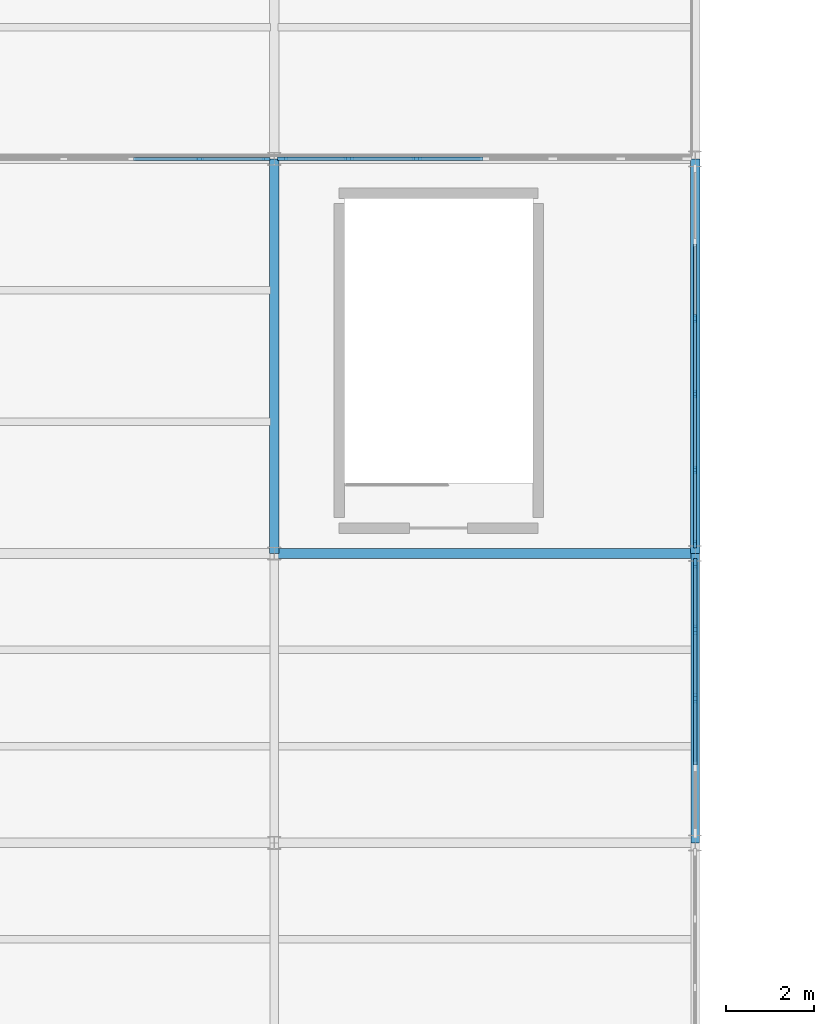
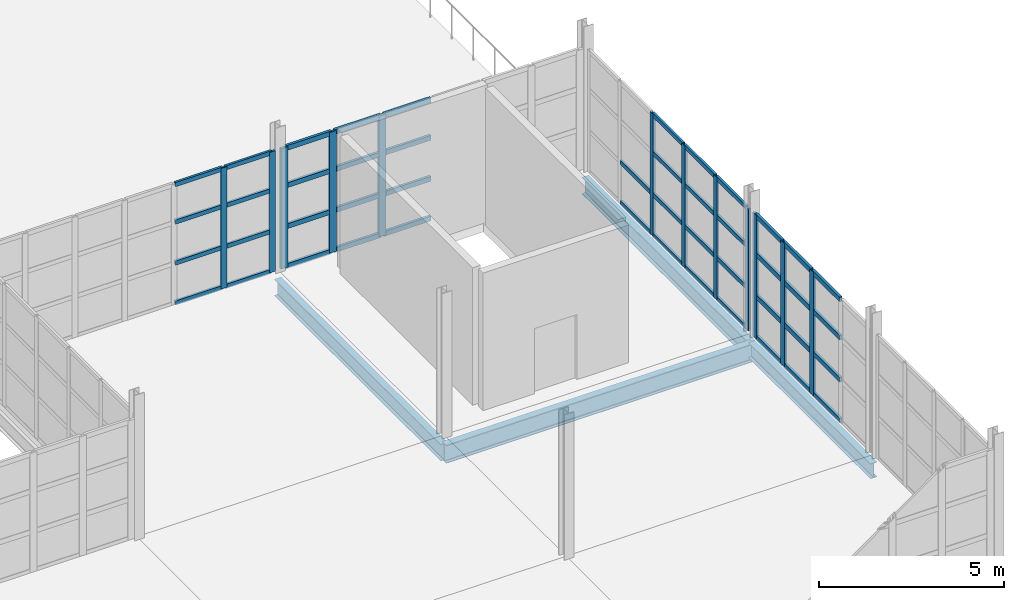
# One storey, part 66 of 120: 58 members, 4 beams, 4 elements without a shape of their own.
"""IFC4 building model written with IfcOpenShell, lengths in metres."""

import ifcopenshell
import ifcopenshell.guid

model = None  # the IFC model being written
_history = None  # IfcOwnerHistory: only IFC2X3 demands one
_inside = {}  # id of a spatial element -> (the spatial element, [elements in it])
_under = {}  # id of a project, library or spatial element -> (it, [spatial elements below it])
_declared = {}  # id of a project -> (the project, [libraries it declares])
_typed = {}  # id of a type object -> (the type object, [elements of that type])
_made_of = {}  # id of a material, layer set ... -> (it, [elements and type objects made of it])


def new_model(schema):
    """Start an empty IFC model of exactly this schema.

    Asked for "IFC4X3", IfcOpenShell would pick the latest addendum, in which some entities
    have other attributes; the version numbers below select the first issue.
    IFC2X3 requires an IfcOwnerHistory on every rooted entity: one is made here for all.
    """
    global model, _history
    if schema == "IFC4X3":
        model = ifcopenshell.file(schema_version=(4, 3, 0, 0))
    else:
        model = ifcopenshell.file(schema=schema)
    _inside.clear()
    _under.clear()
    _declared.clear()
    _typed.clear()
    _made_of.clear()
    _history = None
    if model.schema == "IFC2X3":
        org = make("IfcOrganization", Name="unknown")
        user = make(
            "IfcPersonAndOrganization",
            ThePerson=make("IfcPerson", FamilyName="unknown"),
            TheOrganization=org,
        )
        app = make(
            "IfcApplication",
            ApplicationDeveloper=org,
            Version="unknown",
            ApplicationFullName="unknown",
            ApplicationIdentifier="unknown",
        )
        _history = make(
            "IfcOwnerHistory",
            OwningUser=user,
            OwningApplication=app,
            ChangeAction="ADDED",
            CreationDate=0,
        )
    return model


def make(cls, **values):
    """One entity of the class cls with the attributes given. An attribute that is None is left unset."""
    return model.create_entity(
        cls, **{name: value for name, value in values.items() if value is not None}
    )


def rooted(cls, **values):
    """An entity with a GlobalId (a new one), such as an element, a storey or a relation."""
    return make(cls, GlobalId=ifcopenshell.guid.new(), OwnerHistory=_history, **values)


def si_unit(unit_type, name, prefix=None):
    """IfcSIUnit, for example si_unit("LENGTHUNIT", "METRE", prefix="MILLI")."""
    return make("IfcSIUnit", UnitType=unit_type, Prefix=prefix, Name=name)


def assignment(units):
    """IfcUnitAssignment: the units of a project."""
    return None if units is None else make("IfcUnitAssignment", Units=units)


def point(xyz):
    """IfcCartesianPoint."""
    return None if xyz is None else make("IfcCartesianPoint", Coordinates=xyz)


def direction(xyz):
    """IfcDirection."""
    return None if xyz is None else make("IfcDirection", DirectionRatios=xyz)


def frame(location, z_axis=None, x_axis=None):
    """IfcAxis2Placement3D, a coordinate frame: its origin and axes. An axis left out is left unset."""
    return make(
        "IfcAxis2Placement3D",
        Location=point(location),
        Axis=direction(z_axis),
        RefDirection=direction(x_axis),
    )


def frame_2d(location, x_axis=None):
    """IfcAxis2Placement2D, a coordinate frame in the plane: its origin and x axis."""
    return make(
        "IfcAxis2Placement2D", Location=point(location), RefDirection=direction(x_axis)
    )


def origin():
    """The frame at (0, 0, 0) with its axes left unset."""
    return frame((0.0, 0.0, 0.0))


def origin_2d():
    """The frame at (0, 0) in the plane with its x axis left unset."""
    return frame_2d((0.0, 0.0))


def place(relative_to, where):
    """IfcLocalPlacement: puts the frame where relative to a parent placement (None: the world)."""
    return make(
        "IfcLocalPlacement", PlacementRelTo=relative_to, RelativePlacement=where
    )


def context(
    kind, dimensions, precision=None, world=None, true_north=None, identifier=None
):
    """IfcGeometricRepresentationContext, for example the 3D "Model" context."""
    return make(
        "IfcGeometricRepresentationContext",
        ContextIdentifier=identifier,
        ContextType=kind,
        CoordinateSpaceDimension=dimensions,
        Precision=precision,
        WorldCoordinateSystem=world,
        TrueNorth=true_north,
    )


def subcontext(parent, identifier, kind, view, scale=None):
    """IfcGeometricRepresentationSubContext, for example "Body" below "Model"."""
    return make(
        "IfcGeometricRepresentationSubContext",
        ContextIdentifier=identifier,
        ContextType=kind,
        ParentContext=parent,
        TargetScale=scale,
        TargetView=view,
    )


def project(units=None, contexts=None):
    """IfcProject with its units and contexts."""
    return rooted(
        "IfcProject",
        Name="project",
        RepresentationContexts=contexts,
        UnitsInContext=assignment(units),
    )


def spatial(cls, under=None, at=None, **own):
    """A site, building, storey or space (cls), placed at a placement, below another one or the project."""
    s = rooted(cls, ObjectPlacement=at, **own)
    if under is not None:
        _under.setdefault(under.id(), (under, []))[1].append(s)
    return s


def profile(cls, at=None, kind="AREA", **sizes):
    """A parametric profile (cls). Its sizes go by their IFC names, for example OverallWidth=200.0."""
    return make(cls, ProfileType=kind, Position=at, **sizes)


def rectangle(**sizes):
    """IfcRectangleProfileDef."""
    return profile("IfcRectangleProfileDef", **sizes)


def i_section(**sizes):
    """IfcIShapeProfileDef."""
    return profile("IfcIShapeProfileDef", **sizes)


def extrude(swept, where, along, depth):
    """IfcExtrudedAreaSolid: the profile swept, set in the frame where, extruded along a direction by depth."""
    return make(
        "IfcExtrudedAreaSolid",
        SweptArea=swept,
        Position=where,
        ExtrudedDirection=direction(along),
        Depth=depth,
    )


def shape(context_of_items, identifier, shape_type, items):
    """IfcShapeRepresentation: the items that make up one representation, for example the "Body"."""
    return make(
        "IfcShapeRepresentation",
        ContextOfItems=context_of_items,
        RepresentationIdentifier=identifier,
        RepresentationType=shape_type,
        Items=items,
    )


def material(Name=None, Category=None):
    """IfcMaterial."""
    return make("IfcMaterial", Name=Name, Category=Category)


def layer(
    of_material, thickness, ventilated=None, Name=None, Category=None, Priority=None
):
    """IfcMaterialLayer: one layer of a wall or slab, of a material (None: an air gap)."""
    return make(
        "IfcMaterialLayer",
        Material=of_material,
        LayerThickness=thickness,
        IsVentilated=ventilated,
        Name=Name,
        Category=Category,
        Priority=Priority,
    )


def layer_set(layers, Name=None):
    """IfcMaterialLayerSet."""
    return make("IfcMaterialLayerSet", MaterialLayers=layers, LayerSetName=Name)


def material_profile(
    of_material, cross_section, Name=None, Category=None, Priority=None
):
    """IfcMaterialProfile: a cross section and its material."""
    return make(
        "IfcMaterialProfile",
        Name=Name,
        Material=of_material,
        Profile=cross_section,
        Priority=Priority,
        Category=Category,
    )


def profile_set(profiles, Name=None, composite=None):
    """IfcMaterialProfileSet."""
    return make(
        "IfcMaterialProfileSet",
        Name=Name,
        MaterialProfiles=profiles,
        CompositeProfile=composite,
    )


def made_of(thing, what):
    """Note that an element or type object is made of a material, layer set ...; save() writes the relation."""
    if what is not None:
        _made_of.setdefault(what.id(), (what, []))[1].append(thing)
    return thing


def type_object(cls, material=None, **own):
    """A type object (cls), such as IfcWallType, which elements share."""
    return made_of(rooted(cls, **own), material)


def element(
    cls,
    number,
    at=None,
    inside=None,
    cuts=None,
    type_object=None,
    material=None,
    context=None,
    identifier="Body",
    shape_type=None,
    held_by="IfcProductDefinitionShape",
    body=None,
    shapes=None,
    **own,
):
    """One element of the class cls, such as IfcWall. Its Tag is "e" and its number.

    at: its placement. inside: the storey or other place that contains it. cuts: it is an
    opening in that element (IfcRelVoidsElement). A single representation is given by context,
    identifier, shape_type and body (its items); several are given by shapes. held_by: the class
    of the entity that holds the representations. save() writes the other relations.
    """
    e = rooted(cls, Tag="e%d" % number, ObjectPlacement=at, **own)
    if body is not None:
        shapes = [shape(context, identifier, shape_type, body)]
    if shapes is not None:
        e.Representation = make(held_by, Representations=shapes)
    if inside is not None:
        _inside.setdefault(inside.id(), (inside, []))[1].append(e)
    if cuts is not None:
        rooted(
            "IfcRelVoidsElement", RelatingBuildingElement=cuts, RelatedOpeningElement=e
        )
    if type_object is not None:
        _typed.setdefault(type_object.id(), (type_object, []))[1].append(e)
    return made_of(e, material)


def aggregate(whole, parts):
    """IfcRelAggregates: a whole, such as a stair, and the parts it consists of."""
    return rooted("IfcRelAggregates", RelatingObject=whole, RelatedObjects=parts)


def save(model, path):
    """Write the relations noted so far, then the file.

    IfcRelAggregates (storeys below a building ...), IfcRelContainedInSpatialStructure (elements
    in a storey), IfcRelDefinesByType, IfcRelAssociatesMaterial and IfcRelDeclares: one each for
    every whole, place, type object, material and project.
    """
    for whole, parts in _under.values():
        aggregate(whole, parts)
    for where, things in _inside.values():
        rooted(
            "IfcRelContainedInSpatialStructure",
            RelatedElements=things,
            RelatingStructure=where,
        )
    for kind, things in _typed.values():
        rooted("IfcRelDefinesByType", RelatedObjects=things, RelatingType=kind)
    for what, things in _made_of.values():
        rooted("IfcRelAssociatesMaterial", RelatedObjects=things, RelatingMaterial=what)
    for by, libraries in _declared.values():
        rooted("IfcRelDeclares", RelatingContext=by, RelatedDefinitions=libraries)
    model.write(path)


model = new_model("IFC4")

# Units and contexts
model_context = context("Model", 3, precision=1e-05, world=origin(), true_north=direction((0.0, 1.0)))
body_context = subcontext(model_context, "Body", "Model", "MODEL_VIEW")
ifc_project = project(units=[si_unit("LENGTHUNIT", "METRE"), si_unit("AREAUNIT", "SQUARE_METRE"), si_unit("VOLUMEUNIT", "CUBIC_METRE"), si_unit("PLANEANGLEUNIT", "RADIAN"), si_unit("MASSUNIT", "GRAM", prefix="KILO")], contexts=[model_context])

# Site, building, storey
site_placement = place(None, origin())
site = spatial("IfcSite", under=ifc_project, at=site_placement, CompositionType="ELEMENT")
building_placement = place(site_placement, origin())
building = spatial("IfcBuilding", under=site, at=building_placement, Name="Zarnetskaya Central Station", CompositionType="ELEMENT")
storey_placement = place(building_placement, frame((0.0, 0.0, 5.39990234375)))
storey = spatial("IfcBuildingStorey", under=building, at=storey_placement, Name="L01", CompositionType="ELEMENT", Elevation=5.39990234375)

# Curtain wall, members
ifc_material_1 = material(Name="Low-E insulated glass", Category="glass")
ifc_layer = layer(ifc_material_1, 0.159912109375, Name="Low-E insulated glass", Category="glass")
ifc_layer_set = layer_set([ifc_layer], Name="Low-E insulated glass")
curtain_wall_type = type_object("IfcCurtainWallType", Name="CW-SYS-06", PredefinedType="USERDEFINED", material=ifc_layer_set)
curtain_wall_1_placement = place(storey_placement, origin())
curtain_wall_1 = element("IfcCurtainWall", 1, at=curtain_wall_1_placement, inside=storey, type_object=curtain_wall_type, Name="Curtain wall CW-L01-117", ObjectType="CURTAIN WALL", PredefinedType="USERDEFINED")
ifc_material_2 = material(Name="Anodised aluminium", Category="aluminium")
ifc_material_profile_1 = material_profile(ifc_material_2, rectangle(XDim=0.070068359375, YDim=0.179931640625, at=origin_2d()), Name="ALU MULL 70x180")
ifc_profile_set_1 = profile_set([ifc_material_profile_1], Name="Anodised aluminium")
member_type_1 = type_object("IfcMemberType", Name="CW-MULL-180", PredefinedType="MULLION", material=ifc_profile_set_1)
member_1_placement = place(storey_placement, frame((161.5, 22.199951171875, 0.0), z_axis=(0.0, 0.0, 1.0), x_axis=(0.0, 1.0, 0.0)))
member_1 = element("IfcMember", 2, at=member_1_placement, type_object=member_type_1, Name="CW-02 mullion 6", PredefinedType="MULLION", context=body_context, shape_type="SweptSolid", body=[
    extrude(rectangle(XDim=0.070068359375, YDim=0.179931640625, at=origin_2d()), origin(), (0.0, 0.0, 1.0), 3.97998046875),
])
member_2_placement = place(storey_placement, frame((163.014892578125, 22.199951171875, 0.0), z_axis=(0.0, 0.0, 1.0), x_axis=(0.0, 1.0, 0.0)))
member_2 = element("IfcMember", 3, at=member_2_placement, type_object=member_type_1, Name="CW-02 mullion 7", PredefinedType="MULLION", context=body_context, shape_type="SweptSolid", body=[
    extrude(rectangle(XDim=0.070068359375, YDim=0.179931640625, at=origin_2d()), origin(), (0.0, 0.0, 1.0), 3.97998046875),
])

curtain_wall_2_placement = place(storey_placement, origin())
curtain_wall_2 = element("IfcCurtainWall", 4, at=curtain_wall_2_placement, inside=storey, type_object=curtain_wall_type, Name="Curtain wall CW-L01-119", ObjectType="CURTAIN WALL", PredefinedType="USERDEFINED")
member_3_placement = place(storey_placement, frame((172.800048828125, 18.56396484375, 0.0), z_axis=(0.0, 0.0, 1.0), x_axis=(1.0, 0.0, 0.0)))
member_3 = element("IfcMember", 5, at=member_3_placement, type_object=member_type_1, Name="CW-02 mullion 3", PredefinedType="MULLION", context=body_context, shape_type="SweptSolid", body=[
    extrude(rectangle(XDim=0.070068359375, YDim=0.179931640625, at=origin_2d()), origin(), (0.0, 0.0, 1.0), 4.030029296875),
])
member_4_placement = place(storey_placement, frame((172.800048828125, 16.8359375, 0.0), z_axis=(0.0, 0.0, 1.0), x_axis=(1.0, 0.0, 0.0)))
member_4 = element("IfcMember", 6, at=member_4_placement, type_object=member_type_1, Name="CW-02 mullion 4", PredefinedType="MULLION", context=body_context, shape_type="SweptSolid", body=[
    extrude(rectangle(XDim=0.070068359375, YDim=0.179931640625, at=origin_2d()), origin(), (0.0, 0.0, 1.0), 4.030029296875),
])
member_5_placement = place(storey_placement, frame((172.800048828125, 15.10791015625, 0.0), z_axis=(0.0, 0.0, 1.0), x_axis=(1.0, 0.0, 0.0)))
member_5 = element("IfcMember", 7, at=member_5_placement, type_object=member_type_1, Name="CW-02 mullion 5", PredefinedType="MULLION", context=body_context, shape_type="SweptSolid", body=[
    extrude(rectangle(XDim=0.070068359375, YDim=0.179931640625, at=origin_2d()), origin(), (0.0, 0.0, 1.0), 4.030029296875),
])
member_6_placement = place(storey_placement, frame((172.800048828125, 13.4150390625, 0.0), z_axis=(0.0, 0.0, 1.0), x_axis=(1.0, 0.0, 0.0)))
member_6 = element("IfcMember", 8, at=member_6_placement, type_object=member_type_1, Name="CW-02 mullion 6", PredefinedType="MULLION", context=body_context, shape_type="SweptSolid", body=[
    extrude(rectangle(XDim=0.070068359375, YDim=0.179931640625, at=origin_2d()), origin(), (0.0, 0.0, 1.0), 4.030029296875),
])

curtain_wall_3_placement = place(storey_placement, origin())
curtain_wall_3 = element("IfcCurtainWall", 9, at=curtain_wall_3_placement, inside=storey, type_object=curtain_wall_type, Name="Curtain wall CW-L01-118", ObjectType="CURTAIN WALL", PredefinedType="USERDEFINED")
ifc_material_profile_2 = material_profile(ifc_material_2, rectangle(XDim=0.080078125, YDim=0.219970703125, at=origin_2d()), Name="ALU MULL 80x220")
ifc_profile_set_2 = profile_set([ifc_material_profile_2], Name="Anodised aluminium")
member_type_2 = type_object("IfcMemberType", Name="CW-MULL-220", PredefinedType="MULLION", material=ifc_profile_set_2)
member_7_placement = place(storey_placement, frame((163.389892578125, 22.199951171875, 0.0), z_axis=(0.0, 0.0, 1.0), x_axis=(0.0, 1.0, 0.0)))
member_7 = element("IfcMember", 10, at=member_7_placement, type_object=member_type_2, Name="CW-02 mullion 1", PredefinedType="MULLION", context=body_context, shape_type="SweptSolid", body=[
    extrude(rectangle(XDim=0.080078125, YDim=0.219970703125, at=origin_2d()), origin(), (0.0, 0.0, 1.0), 3.97998046875),
])
member_8_placement = place(storey_placement, frame((164.89990234375, 22.199951171875, 0.0), z_axis=(0.0, 0.0, 1.0), x_axis=(0.0, 1.0, 0.0)))
member_8 = element("IfcMember", 11, at=member_8_placement, type_object=member_type_2, Name="CW-02 mullion 2", PredefinedType="MULLION", context=body_context, shape_type="SweptSolid", body=[
    extrude(rectangle(XDim=0.080078125, YDim=0.219970703125, at=origin_2d()), origin(), (0.0, 0.0, 1.0), 3.97998046875),
])
member_9_placement = place(storey_placement, frame((166.449951171875, 22.199951171875, 0.0), z_axis=(0.0, 0.0, 1.0), x_axis=(0.0, 1.0, 0.0)))
member_9 = element("IfcMember", 12, at=member_9_placement, type_object=member_type_2, Name="CW-02 mullion 3", PredefinedType="MULLION", context=body_context, shape_type="SweptSolid", body=[
    extrude(rectangle(XDim=0.080078125, YDim=0.219970703125, at=origin_2d()), origin(), (0.0, 0.0, 1.0), 3.97998046875),
])

curtain_wall_4_placement = place(storey_placement, origin())
curtain_wall_4 = element("IfcCurtainWall", 13, at=curtain_wall_4_placement, inside=storey, type_object=curtain_wall_type, Name="Curtain wall CW-L01-120", ObjectType="CURTAIN WALL", PredefinedType="USERDEFINED")
member_10_placement = place(storey_placement, frame((172.800048828125, 12.97998046875, 0.0), z_axis=(0.0, 0.0, 1.0), x_axis=(1.0, 0.0, 0.0)))
member_10 = element("IfcMember", 14, at=member_10_placement, type_object=member_type_2, Name="CW-02 mullion 1", PredefinedType="MULLION", context=body_context, shape_type="SweptSolid", body=[
    extrude(rectangle(XDim=0.080078125, YDim=0.219970703125, at=origin_2d()), origin(), (0.0, 0.0, 1.0), 4.080078125),
])
member_11_placement = place(storey_placement, frame((172.800048828125, 11.4599609375, 0.0), z_axis=(0.0, 0.0, 1.0), x_axis=(1.0, 0.0, 0.0)))
member_11 = element("IfcMember", 15, at=member_11_placement, type_object=member_type_2, Name="CW-02 mullion 2", PredefinedType="MULLION", context=body_context, shape_type="SweptSolid", body=[
    extrude(rectangle(XDim=0.080078125, YDim=0.219970703125, at=origin_2d()), origin(), (0.0, 0.0, 1.0), 4.080078125),
])
member_12_placement = place(storey_placement, frame((172.800048828125, 9.89990234375, 0.0), z_axis=(0.0, 0.0, 1.0), x_axis=(1.0, 0.0, 0.0)))
member_12 = element("IfcMember", 16, at=member_12_placement, type_object=member_type_2, Name="CW-02 mullion 3", PredefinedType="MULLION", context=body_context, shape_type="SweptSolid", body=[
    extrude(rectangle(XDim=0.080078125, YDim=0.219970703125, at=origin_2d()), origin(), (0.0, 0.0, 1.0), 4.080078125),
])

# Member
ifc_material_profile_3 = material_profile(ifc_material_2, rectangle(XDim=0.070068359375, YDim=0.139892578125, at=origin_2d()), Name="ALU TRAN 70x140")
ifc_profile_set_3 = profile_set([ifc_material_profile_3], Name="Anodised aluminium")
member_type_3 = type_object("IfcMemberType", Name="CW-TRAN-140", PredefinedType="USERDEFINED", material=ifc_profile_set_3)
member_13_placement = place(storey_placement, frame((159.985107421875, 22.199951171875, 0.03515625), z_axis=(1.0, 0.0, 0.0), x_axis=(0.0, 1.0, 0.0)))
member_13 = element("IfcMember", 17, at=member_13_placement, type_object=member_type_3, Name="CW-02 transom 5.1", ObjectType="TRANSOM", PredefinedType="USERDEFINED", context=body_context, shape_type="SweptSolid", body=[
    extrude(rectangle(XDim=0.070068359375, YDim=0.139892578125, at=origin_2d()), origin(), (0.0, 0.0, 1.0), 1.47998046875),
])

member_14_placement = place(storey_placement, frame((159.985107421875, 22.199951171875, 1.35302734375), z_axis=(1.0, 0.0, 0.0), x_axis=(0.0, 1.0, 0.0)))
member_14 = element("IfcMember", 18, at=member_14_placement, type_object=member_type_3, Name="CW-02 transom 5.2", ObjectType="TRANSOM", PredefinedType="USERDEFINED", context=body_context, shape_type="SweptSolid", body=[
    extrude(rectangle(XDim=0.070068359375, YDim=0.139892578125, at=origin_2d()), origin(), (0.0, 0.0, 1.0), 1.47998046875),
])

member_15_placement = place(storey_placement, frame((159.985107421875, 22.199951171875, 2.7060546875), z_axis=(1.0, 0.0, 0.0), x_axis=(0.0, 1.0, 0.0)))
member_15 = element("IfcMember", 19, at=member_15_placement, type_object=member_type_3, Name="CW-02 transom 5.3", ObjectType="TRANSOM", PredefinedType="USERDEFINED", context=body_context, shape_type="SweptSolid", body=[
    extrude(rectangle(XDim=0.070068359375, YDim=0.139892578125, at=origin_2d()), origin(), (0.0, 0.0, 1.0), 1.47998046875),
])

member_16_placement = place(storey_placement, frame((159.985107421875, 22.199951171875, 3.945068359375), z_axis=(1.0, 0.0, 0.0), x_axis=(0.0, 1.0, 0.0)))
member_16 = element("IfcMember", 20, at=member_16_placement, type_object=member_type_3, Name="CW-02 transom 5.4", ObjectType="TRANSOM", PredefinedType="USERDEFINED", context=body_context, shape_type="SweptSolid", body=[
    extrude(rectangle(XDim=0.070068359375, YDim=0.139892578125, at=origin_2d()), origin(), (0.0, 0.0, 1.0), 1.47998046875),
])

member_17_placement = place(storey_placement, frame((161.534912109375, 22.199951171875, 0.03515625), z_axis=(1.0, 0.0, 0.0), x_axis=(0.0, 1.0, 0.0)))
member_17 = element("IfcMember", 21, at=member_17_placement, type_object=member_type_3, Name="CW-02 transom 6.1", ObjectType="TRANSOM", PredefinedType="USERDEFINED", context=body_context, shape_type="SweptSolid", body=[
    extrude(rectangle(XDim=0.070068359375, YDim=0.139892578125, at=origin_2d()), origin(), (0.0, 0.0, 1.0), 1.445068359375),
])

member_18_placement = place(storey_placement, frame((161.534912109375, 22.199951171875, 1.35302734375), z_axis=(1.0, 0.0, 0.0), x_axis=(0.0, 1.0, 0.0)))
member_18 = element("IfcMember", 22, at=member_18_placement, type_object=member_type_3, Name="CW-02 transom 6.2", ObjectType="TRANSOM", PredefinedType="USERDEFINED", context=body_context, shape_type="SweptSolid", body=[
    extrude(rectangle(XDim=0.070068359375, YDim=0.139892578125, at=origin_2d()), origin(), (0.0, 0.0, 1.0), 1.445068359375),
])

member_19_placement = place(storey_placement, frame((161.534912109375, 22.199951171875, 2.7060546875), z_axis=(1.0, 0.0, 0.0), x_axis=(0.0, 1.0, 0.0)))
member_19 = element("IfcMember", 23, at=member_19_placement, type_object=member_type_3, Name="CW-02 transom 6.3", ObjectType="TRANSOM", PredefinedType="USERDEFINED", context=body_context, shape_type="SweptSolid", body=[
    extrude(rectangle(XDim=0.070068359375, YDim=0.139892578125, at=origin_2d()), origin(), (0.0, 0.0, 1.0), 1.445068359375),
])

member_20_placement = place(storey_placement, frame((161.534912109375, 22.199951171875, 3.945068359375), z_axis=(1.0, 0.0, 0.0), x_axis=(0.0, 1.0, 0.0)))
member_20 = element("IfcMember", 24, at=member_20_placement, type_object=member_type_3, Name="CW-02 transom 6.4", ObjectType="TRANSOM", PredefinedType="USERDEFINED", context=body_context, shape_type="SweptSolid", body=[
    extrude(rectangle(XDim=0.070068359375, YDim=0.139892578125, at=origin_2d()), origin(), (0.0, 0.0, 1.0), 1.445068359375),
])

aggregate(curtain_wall_1, [member_1, member_2, member_13, member_14, member_15, member_16, member_17, member_18, member_19, member_20])

member_21_placement = place(storey_placement, frame((172.800048828125, 20.257080078125, 0.03515625), z_axis=(0.0, -1.0, 0.0), x_axis=(1.0, 0.0, 0.0)))
member_21 = element("IfcMember", 25, at=member_21_placement, type_object=member_type_3, Name="CW-02 transom 2.1", ObjectType="TRANSOM", PredefinedType="USERDEFINED", context=body_context, shape_type="SweptSolid", body=[
    extrude(rectangle(XDim=0.070068359375, YDim=0.139892578125, at=origin_2d()), origin(), (0.0, 0.0, 1.0), 1.657958984375),
])

member_22_placement = place(storey_placement, frame((172.800048828125, 20.257080078125, 1.3701171875), z_axis=(0.0, -1.0, 0.0), x_axis=(1.0, 0.0, 0.0)))
member_22 = element("IfcMember", 26, at=member_22_placement, type_object=member_type_3, Name="CW-02 transom 2.2", ObjectType="TRANSOM", PredefinedType="USERDEFINED", context=body_context, shape_type="SweptSolid", body=[
    extrude(rectangle(XDim=0.070068359375, YDim=0.139892578125, at=origin_2d()), origin(), (0.0, 0.0, 1.0), 1.657958984375),
])

member_23_placement = place(storey_placement, frame((172.800048828125, 18.529052734375, 0.03515625), z_axis=(0.0, -1.0, 0.0), x_axis=(1.0, 0.0, 0.0)))
member_23 = element("IfcMember", 27, at=member_23_placement, type_object=member_type_3, Name="CW-02 transom 3.1", ObjectType="TRANSOM", PredefinedType="USERDEFINED", context=body_context, shape_type="SweptSolid", body=[
    extrude(rectangle(XDim=0.070068359375, YDim=0.139892578125, at=origin_2d()), origin(), (0.0, 0.0, 1.0), 1.657958984375),
])

member_24_placement = place(storey_placement, frame((172.800048828125, 18.529052734375, 1.3701171875), z_axis=(0.0, -1.0, 0.0), x_axis=(1.0, 0.0, 0.0)))
member_24 = element("IfcMember", 28, at=member_24_placement, type_object=member_type_3, Name="CW-02 transom 3.2", ObjectType="TRANSOM", PredefinedType="USERDEFINED", context=body_context, shape_type="SweptSolid", body=[
    extrude(rectangle(XDim=0.070068359375, YDim=0.139892578125, at=origin_2d()), origin(), (0.0, 0.0, 1.0), 1.657958984375),
])

member_25_placement = place(storey_placement, frame((172.800048828125, 18.529052734375, 2.739990234375), z_axis=(0.0, -1.0, 0.0), x_axis=(1.0, 0.0, 0.0)))
member_25 = element("IfcMember", 29, at=member_25_placement, type_object=member_type_3, Name="CW-02 transom 3.3", ObjectType="TRANSOM", PredefinedType="USERDEFINED", context=body_context, shape_type="SweptSolid", body=[
    extrude(rectangle(XDim=0.070068359375, YDim=0.139892578125, at=origin_2d()), origin(), (0.0, 0.0, 1.0), 1.657958984375),
])

member_26_placement = place(storey_placement, frame((172.800048828125, 18.529052734375, 3.9951171875), z_axis=(0.0, -1.0, 0.0), x_axis=(1.0, 0.0, 0.0)))
member_26 = element("IfcMember", 30, at=member_26_placement, type_object=member_type_3, Name="CW-02 transom 3.4", ObjectType="TRANSOM", PredefinedType="USERDEFINED", context=body_context, shape_type="SweptSolid", body=[
    extrude(rectangle(XDim=0.070068359375, YDim=0.139892578125, at=origin_2d()), origin(), (0.0, 0.0, 1.0), 1.657958984375),
])

member_27_placement = place(storey_placement, frame((172.800048828125, 16.801025390625, 0.03515625), z_axis=(0.0, -1.0, 0.0), x_axis=(1.0, 0.0, 0.0)))
member_27 = element("IfcMember", 31, at=member_27_placement, type_object=member_type_3, Name="CW-02 transom 4.1", ObjectType="TRANSOM", PredefinedType="USERDEFINED", context=body_context, shape_type="SweptSolid", body=[
    extrude(rectangle(XDim=0.070068359375, YDim=0.139892578125, at=origin_2d()), origin(), (0.0, 0.0, 1.0), 1.657958984375),
])

member_28_placement = place(storey_placement, frame((172.800048828125, 16.801025390625, 1.3701171875), z_axis=(0.0, -1.0, 0.0), x_axis=(1.0, 0.0, 0.0)))
member_28 = element("IfcMember", 32, at=member_28_placement, type_object=member_type_3, Name="CW-02 transom 4.2", ObjectType="TRANSOM", PredefinedType="USERDEFINED", context=body_context, shape_type="SweptSolid", body=[
    extrude(rectangle(XDim=0.070068359375, YDim=0.139892578125, at=origin_2d()), origin(), (0.0, 0.0, 1.0), 1.657958984375),
])

member_29_placement = place(storey_placement, frame((172.800048828125, 16.801025390625, 2.739990234375), z_axis=(0.0, -1.0, 0.0), x_axis=(1.0, 0.0, 0.0)))
member_29 = element("IfcMember", 33, at=member_29_placement, type_object=member_type_3, Name="CW-02 transom 4.3", ObjectType="TRANSOM", PredefinedType="USERDEFINED", context=body_context, shape_type="SweptSolid", body=[
    extrude(rectangle(XDim=0.070068359375, YDim=0.139892578125, at=origin_2d()), origin(), (0.0, 0.0, 1.0), 1.657958984375),
])

member_30_placement = place(storey_placement, frame((172.800048828125, 16.801025390625, 3.9951171875), z_axis=(0.0, -1.0, 0.0), x_axis=(1.0, 0.0, 0.0)))
member_30 = element("IfcMember", 34, at=member_30_placement, type_object=member_type_3, Name="CW-02 transom 4.4", ObjectType="TRANSOM", PredefinedType="USERDEFINED", context=body_context, shape_type="SweptSolid", body=[
    extrude(rectangle(XDim=0.070068359375, YDim=0.139892578125, at=origin_2d()), origin(), (0.0, 0.0, 1.0), 1.657958984375),
])

member_31_placement = place(storey_placement, frame((172.800048828125, 15.072998046875, 0.03515625), z_axis=(0.0, -1.0, 0.0), x_axis=(1.0, 0.0, 0.0)))
member_31 = element("IfcMember", 35, at=member_31_placement, type_object=member_type_3, Name="CW-02 transom 5.1", ObjectType="TRANSOM", PredefinedType="USERDEFINED", context=body_context, shape_type="SweptSolid", body=[
    extrude(rectangle(XDim=0.070068359375, YDim=0.139892578125, at=origin_2d()), origin(), (0.0, 0.0, 1.0), 1.623046875),
])

member_32_placement = place(storey_placement, frame((172.800048828125, 15.072998046875, 1.3701171875), z_axis=(0.0, -1.0, 0.0), x_axis=(1.0, 0.0, 0.0)))
member_32 = element("IfcMember", 36, at=member_32_placement, type_object=member_type_3, Name="CW-02 transom 5.2", ObjectType="TRANSOM", PredefinedType="USERDEFINED", context=body_context, shape_type="SweptSolid", body=[
    extrude(rectangle(XDim=0.070068359375, YDim=0.139892578125, at=origin_2d()), origin(), (0.0, 0.0, 1.0), 1.623046875),
])

member_33_placement = place(storey_placement, frame((172.800048828125, 15.072998046875, 2.739990234375), z_axis=(0.0, -1.0, 0.0), x_axis=(1.0, 0.0, 0.0)))
member_33 = element("IfcMember", 37, at=member_33_placement, type_object=member_type_3, Name="CW-02 transom 5.3", ObjectType="TRANSOM", PredefinedType="USERDEFINED", context=body_context, shape_type="SweptSolid", body=[
    extrude(rectangle(XDim=0.070068359375, YDim=0.139892578125, at=origin_2d()), origin(), (0.0, 0.0, 1.0), 1.623046875),
])

member_34_placement = place(storey_placement, frame((172.800048828125, 15.072998046875, 3.9951171875), z_axis=(0.0, -1.0, 0.0), x_axis=(1.0, 0.0, 0.0)))
member_34 = element("IfcMember", 38, at=member_34_placement, type_object=member_type_3, Name="CW-02 transom 5.4", ObjectType="TRANSOM", PredefinedType="USERDEFINED", context=body_context, shape_type="SweptSolid", body=[
    extrude(rectangle(XDim=0.070068359375, YDim=0.139892578125, at=origin_2d()), origin(), (0.0, 0.0, 1.0), 1.623046875),
])

aggregate(curtain_wall_2, [member_3, member_4, member_5, member_6, member_21, member_22, member_23, member_24, member_25, member_26, member_27, member_28, member_29, member_30, member_31, member_32, member_33, member_34])

ifc_material_profile_4 = material_profile(ifc_material_2, rectangle(XDim=0.080078125, YDim=0.159912109375, at=origin_2d()), Name="ALU TRAN 80x160")
ifc_profile_set_4 = profile_set([ifc_material_profile_4], Name="Anodised aluminium")
member_type_4 = type_object("IfcMemberType", Name="CW-TRAN-160", PredefinedType="USERDEFINED", material=ifc_profile_set_4)
member_35_placement = place(storey_placement, frame((163.429931640625, 22.199951171875, 0.0400390625), z_axis=(1.0, 0.0, 0.0), x_axis=(0.0, 1.0, 0.0)))
member_35 = element("IfcMember", 39, at=member_35_placement, type_object=member_type_4, Name="CW-02 transom 1.1", ObjectType="TRANSOM", PredefinedType="USERDEFINED", context=body_context, shape_type="SweptSolid", body=[
    extrude(rectangle(XDim=0.080078125, YDim=0.159912109375, at=origin_2d()), origin(), (0.0, 0.0, 1.0), 1.43017578125),
])

member_36_placement = place(storey_placement, frame((163.429931640625, 22.199951171875, 1.35302734375), z_axis=(1.0, 0.0, 0.0), x_axis=(0.0, 1.0, 0.0)))
member_36 = element("IfcMember", 40, at=member_36_placement, type_object=member_type_4, Name="CW-02 transom 1.2", ObjectType="TRANSOM", PredefinedType="USERDEFINED", context=body_context, shape_type="SweptSolid", body=[
    extrude(rectangle(XDim=0.080078125, YDim=0.159912109375, at=origin_2d()), origin(), (0.0, 0.0, 1.0), 1.43017578125),
])

member_37_placement = place(storey_placement, frame((163.429931640625, 22.199951171875, 2.7060546875), z_axis=(1.0, 0.0, 0.0), x_axis=(0.0, 1.0, 0.0)))
member_37 = element("IfcMember", 41, at=member_37_placement, type_object=member_type_4, Name="CW-02 transom 1.3", ObjectType="TRANSOM", PredefinedType="USERDEFINED", context=body_context, shape_type="SweptSolid", body=[
    extrude(rectangle(XDim=0.080078125, YDim=0.159912109375, at=origin_2d()), origin(), (0.0, 0.0, 1.0), 1.43017578125),
])

member_38_placement = place(storey_placement, frame((163.429931640625, 22.199951171875, 3.940185546875), z_axis=(1.0, 0.0, 0.0), x_axis=(0.0, 1.0, 0.0)))
member_38 = element("IfcMember", 42, at=member_38_placement, type_object=member_type_4, Name="CW-02 transom 1.4", ObjectType="TRANSOM", PredefinedType="USERDEFINED", context=body_context, shape_type="SweptSolid", body=[
    extrude(rectangle(XDim=0.080078125, YDim=0.159912109375, at=origin_2d()), origin(), (0.0, 0.0, 1.0), 1.43017578125),
])

member_39_placement = place(storey_placement, frame((164.93994140625, 22.199951171875, 0.0400390625), z_axis=(1.0, 0.0, 0.0), x_axis=(0.0, 1.0, 0.0)))
member_39 = element("IfcMember", 43, at=member_39_placement, type_object=member_type_4, Name="CW-02 transom 2.1", ObjectType="TRANSOM", PredefinedType="USERDEFINED", context=body_context, shape_type="SweptSolid", body=[
    extrude(rectangle(XDim=0.080078125, YDim=0.159912109375, at=origin_2d()), origin(), (0.0, 0.0, 1.0), 1.469970703125),
])

member_40_placement = place(storey_placement, frame((164.93994140625, 22.199951171875, 1.35302734375), z_axis=(1.0, 0.0, 0.0), x_axis=(0.0, 1.0, 0.0)))
member_40 = element("IfcMember", 44, at=member_40_placement, type_object=member_type_4, Name="CW-02 transom 2.2", ObjectType="TRANSOM", PredefinedType="USERDEFINED", context=body_context, shape_type="SweptSolid", body=[
    extrude(rectangle(XDim=0.080078125, YDim=0.159912109375, at=origin_2d()), origin(), (0.0, 0.0, 1.0), 1.469970703125),
])

member_41_placement = place(storey_placement, frame((164.93994140625, 22.199951171875, 2.7060546875), z_axis=(1.0, 0.0, 0.0), x_axis=(0.0, 1.0, 0.0)))
member_41 = element("IfcMember", 45, at=member_41_placement, type_object=member_type_4, Name="CW-02 transom 2.3", ObjectType="TRANSOM", PredefinedType="USERDEFINED", context=body_context, shape_type="SweptSolid", body=[
    extrude(rectangle(XDim=0.080078125, YDim=0.159912109375, at=origin_2d()), origin(), (0.0, 0.0, 1.0), 1.469970703125),
])

member_42_placement = place(storey_placement, frame((164.93994140625, 22.199951171875, 3.940185546875), z_axis=(1.0, 0.0, 0.0), x_axis=(0.0, 1.0, 0.0)))
member_42 = element("IfcMember", 46, at=member_42_placement, type_object=member_type_4, Name="CW-02 transom 2.4", ObjectType="TRANSOM", PredefinedType="USERDEFINED", context=body_context, shape_type="SweptSolid", body=[
    extrude(rectangle(XDim=0.080078125, YDim=0.159912109375, at=origin_2d()), origin(), (0.0, 0.0, 1.0), 1.469970703125),
])

member_43_placement = place(storey_placement, frame((166.489990234375, 22.199951171875, 0.0400390625), z_axis=(1.0, 0.0, 0.0), x_axis=(0.0, 1.0, 0.0)))
member_43 = element("IfcMember", 47, at=member_43_placement, type_object=member_type_4, Name="CW-02 transom 3.1", ObjectType="TRANSOM", PredefinedType="USERDEFINED", context=body_context, shape_type="SweptSolid", body=[
    extrude(rectangle(XDim=0.080078125, YDim=0.159912109375, at=origin_2d()), origin(), (0.0, 0.0, 1.0), 1.469970703125),
])

member_44_placement = place(storey_placement, frame((166.489990234375, 22.199951171875, 1.35302734375), z_axis=(1.0, 0.0, 0.0), x_axis=(0.0, 1.0, 0.0)))
member_44 = element("IfcMember", 48, at=member_44_placement, type_object=member_type_4, Name="CW-02 transom 3.2", ObjectType="TRANSOM", PredefinedType="USERDEFINED", context=body_context, shape_type="SweptSolid", body=[
    extrude(rectangle(XDim=0.080078125, YDim=0.159912109375, at=origin_2d()), origin(), (0.0, 0.0, 1.0), 1.469970703125),
])

member_45_placement = place(storey_placement, frame((166.489990234375, 22.199951171875, 2.7060546875), z_axis=(1.0, 0.0, 0.0), x_axis=(0.0, 1.0, 0.0)))
member_45 = element("IfcMember", 49, at=member_45_placement, type_object=member_type_4, Name="CW-02 transom 3.3", ObjectType="TRANSOM", PredefinedType="USERDEFINED", context=body_context, shape_type="SweptSolid", body=[
    extrude(rectangle(XDim=0.080078125, YDim=0.159912109375, at=origin_2d()), origin(), (0.0, 0.0, 1.0), 1.469970703125),
])

member_46_placement = place(storey_placement, frame((166.489990234375, 22.199951171875, 3.940185546875), z_axis=(1.0, 0.0, 0.0), x_axis=(0.0, 1.0, 0.0)))
member_46 = element("IfcMember", 50, at=member_46_placement, type_object=member_type_4, Name="CW-02 transom 3.4", ObjectType="TRANSOM", PredefinedType="USERDEFINED", context=body_context, shape_type="SweptSolid", body=[
    extrude(rectangle(XDim=0.080078125, YDim=0.159912109375, at=origin_2d()), origin(), (0.0, 0.0, 1.0), 1.469970703125),
])

aggregate(curtain_wall_3, [member_7, member_8, member_9, member_35, member_36, member_37, member_38, member_39, member_40, member_41, member_42, member_43, member_44, member_45, member_46])

member_47_placement = place(storey_placement, frame((172.800048828125, 12.93994140625, 0.0400390625), z_axis=(0.0, -1.0, 0.0), x_axis=(1.0, 0.0, 0.0)))
member_47 = element("IfcMember", 51, at=member_47_placement, type_object=member_type_4, Name="CW-02 transom 1.1", ObjectType="TRANSOM", PredefinedType="USERDEFINED", context=body_context, shape_type="SweptSolid", body=[
    extrude(rectangle(XDim=0.080078125, YDim=0.159912109375, at=origin_2d()), origin(), (0.0, 0.0, 1.0), 1.43994140625),
])

member_48_placement = place(storey_placement, frame((172.800048828125, 12.93994140625, 1.38720703125), z_axis=(0.0, -1.0, 0.0), x_axis=(1.0, 0.0, 0.0)))
member_48 = element("IfcMember", 52, at=member_48_placement, type_object=member_type_4, Name="CW-02 transom 1.2", ObjectType="TRANSOM", PredefinedType="USERDEFINED", context=body_context, shape_type="SweptSolid", body=[
    extrude(rectangle(XDim=0.080078125, YDim=0.159912109375, at=origin_2d()), origin(), (0.0, 0.0, 1.0), 1.43994140625),
])

member_49_placement = place(storey_placement, frame((172.800048828125, 12.93994140625, 2.774169921875), z_axis=(0.0, -1.0, 0.0), x_axis=(1.0, 0.0, 0.0)))
member_49 = element("IfcMember", 53, at=member_49_placement, type_object=member_type_4, Name="CW-02 transom 1.3", ObjectType="TRANSOM", PredefinedType="USERDEFINED", context=body_context, shape_type="SweptSolid", body=[
    extrude(rectangle(XDim=0.080078125, YDim=0.159912109375, at=origin_2d()), origin(), (0.0, 0.0, 1.0), 1.43994140625),
])

member_50_placement = place(storey_placement, frame((172.800048828125, 12.93994140625, 4.0400390625), z_axis=(0.0, -1.0, 0.0), x_axis=(1.0, 0.0, 0.0)))
member_50 = element("IfcMember", 54, at=member_50_placement, type_object=member_type_4, Name="CW-02 transom 1.4", ObjectType="TRANSOM", PredefinedType="USERDEFINED", context=body_context, shape_type="SweptSolid", body=[
    extrude(rectangle(XDim=0.080078125, YDim=0.159912109375, at=origin_2d()), origin(), (0.0, 0.0, 1.0), 1.43994140625),
])

member_51_placement = place(storey_placement, frame((172.800048828125, 11.419921875, 0.0400390625), z_axis=(0.0, -1.0, 0.0), x_axis=(1.0, 0.0, 0.0)))
member_51 = element("IfcMember", 55, at=member_51_placement, type_object=member_type_4, Name="CW-02 transom 2.1", ObjectType="TRANSOM", PredefinedType="USERDEFINED", context=body_context, shape_type="SweptSolid", body=[
    extrude(rectangle(XDim=0.080078125, YDim=0.159912109375, at=origin_2d()), origin(), (0.0, 0.0, 1.0), 1.47998046875),
])

member_52_placement = place(storey_placement, frame((172.800048828125, 11.419921875, 1.38720703125), z_axis=(0.0, -1.0, 0.0), x_axis=(1.0, 0.0, 0.0)))
member_52 = element("IfcMember", 56, at=member_52_placement, type_object=member_type_4, Name="CW-02 transom 2.2", ObjectType="TRANSOM", PredefinedType="USERDEFINED", context=body_context, shape_type="SweptSolid", body=[
    extrude(rectangle(XDim=0.080078125, YDim=0.159912109375, at=origin_2d()), origin(), (0.0, 0.0, 1.0), 1.47998046875),
])

member_53_placement = place(storey_placement, frame((172.800048828125, 11.419921875, 2.774169921875), z_axis=(0.0, -1.0, 0.0), x_axis=(1.0, 0.0, 0.0)))
member_53 = element("IfcMember", 57, at=member_53_placement, type_object=member_type_4, Name="CW-02 transom 2.3", ObjectType="TRANSOM", PredefinedType="USERDEFINED", context=body_context, shape_type="SweptSolid", body=[
    extrude(rectangle(XDim=0.080078125, YDim=0.159912109375, at=origin_2d()), origin(), (0.0, 0.0, 1.0), 1.47998046875),
])

member_54_placement = place(storey_placement, frame((172.800048828125, 11.419921875, 4.0400390625), z_axis=(0.0, -1.0, 0.0), x_axis=(1.0, 0.0, 0.0)))
member_54 = element("IfcMember", 58, at=member_54_placement, type_object=member_type_4, Name="CW-02 transom 2.4", ObjectType="TRANSOM", PredefinedType="USERDEFINED", context=body_context, shape_type="SweptSolid", body=[
    extrude(rectangle(XDim=0.080078125, YDim=0.159912109375, at=origin_2d()), origin(), (0.0, 0.0, 1.0), 1.47998046875),
])

member_55_placement = place(storey_placement, frame((172.800048828125, 9.860107421875, 0.0400390625), z_axis=(0.0, -1.0, 0.0), x_axis=(1.0, 0.0, 0.0)))
member_55 = element("IfcMember", 59, at=member_55_placement, type_object=member_type_4, Name="CW-02 transom 3.1", ObjectType="TRANSOM", PredefinedType="USERDEFINED", context=body_context, shape_type="SweptSolid", body=[
    extrude(rectangle(XDim=0.080078125, YDim=0.159912109375, at=origin_2d()), origin(), (0.0, 0.0, 1.0), 1.480224609375),
])

member_56_placement = place(storey_placement, frame((172.800048828125, 9.860107421875, 1.38720703125), z_axis=(0.0, -1.0, 0.0), x_axis=(1.0, 0.0, 0.0)))
member_56 = element("IfcMember", 60, at=member_56_placement, type_object=member_type_4, Name="CW-02 transom 3.2", ObjectType="TRANSOM", PredefinedType="USERDEFINED", context=body_context, shape_type="SweptSolid", body=[
    extrude(rectangle(XDim=0.080078125, YDim=0.159912109375, at=origin_2d()), origin(), (0.0, 0.0, 1.0), 1.480224609375),
])

member_57_placement = place(storey_placement, frame((172.800048828125, 9.860107421875, 2.774169921875), z_axis=(0.0, -1.0, 0.0), x_axis=(1.0, 0.0, 0.0)))
member_57 = element("IfcMember", 61, at=member_57_placement, type_object=member_type_4, Name="CW-02 transom 3.3", ObjectType="TRANSOM", PredefinedType="USERDEFINED", context=body_context, shape_type="SweptSolid", body=[
    extrude(rectangle(XDim=0.080078125, YDim=0.159912109375, at=origin_2d()), origin(), (0.0, 0.0, 1.0), 1.480224609375),
])

member_58_placement = place(storey_placement, frame((172.800048828125, 9.860107421875, 4.0400390625), z_axis=(0.0, -1.0, 0.0), x_axis=(1.0, 0.0, 0.0)))
member_58 = element("IfcMember", 62, at=member_58_placement, type_object=member_type_4, Name="CW-02 transom 3.4", ObjectType="TRANSOM", PredefinedType="USERDEFINED", context=body_context, shape_type="SweptSolid", body=[
    extrude(rectangle(XDim=0.080078125, YDim=0.159912109375, at=origin_2d()), origin(), (0.0, 0.0, 1.0), 1.480224609375),
])

aggregate(curtain_wall_4, [member_10, member_11, member_12, member_47, member_48, member_49, member_50, member_51, member_52, member_53, member_54, member_55, member_56, member_57, member_58])

# Beams
ifc_material_3 = material(Name="Steel S355", Category="steel")
ifc_material_profile_5 = material_profile(ifc_material_3, i_section(OverallWidth=0.199951171875, OverallDepth=0.5, WebThickness=0.01025390625, FlangeThickness=0.01611328125, FilletRadius=0.02099609375, at=origin_2d()), Name="IPE 500")
ifc_profile_set_5 = profile_set([ifc_material_profile_5], Name="Steel S355")
beam_type_1 = type_object("IfcBeamType", Name="GD-FLR-500", PredefinedType="USERDEFINED", material=ifc_profile_set_5)
beam_1_placement = place(storey_placement, frame((172.800048828125, 6.60009765625, -0.52978515625), z_axis=(0.0, 1.0, 0.0), x_axis=(-1.0, 0.0, 0.0)))
element("IfcBeam", 63, at=beam_1_placement, inside=storey, type_object=beam_type_1, Name="Grid girder GY-L01-U-23", ObjectType="GIRDER", PredefinedType="USERDEFINED", context=body_context, shape_type="SweptSolid", body=[
    extrude(i_section(OverallWidth=0.199951171875, OverallDepth=0.5, WebThickness=0.01025390625, FlangeThickness=0.01611328125, FilletRadius=0.02099609375, at=origin_2d()), origin(), (0.0, 0.0, 1.0), 6.599853515625),
])
ifc_material_profile_6 = material_profile(ifc_material_3, i_section(OverallWidth=0.2099609375, OverallDepth=0.550048828125, WebThickness=0.010986328125, FlangeThickness=0.01708984375, FilletRadius=0.02392578125, at=origin_2d()), Name="IPE 550")
ifc_profile_set_6 = profile_set([ifc_material_profile_6], Name="Steel S355")
beam_type_2 = type_object("IfcBeamType", Name="GD-FLR-550", PredefinedType="USERDEFINED", material=ifc_profile_set_6)
for number, where, z_axis, x_axis, name in (
    (64, (163.199951171875, 13.199951171875, -0.554931640625), (0.0, 1.0, 0.0), (-1.0, 0.0, 0.0), "Grid girder GY-L01-T-34"),
    (65, (172.800048828125, 13.199951171875, -0.554931640625), (0.0, 1.0, 0.0), (-1.0, 0.0, 0.0), "Grid girder GY-L01-U-34"),
):
    element("IfcBeam", number, at=place(storey_placement, frame(where, z_axis=z_axis, x_axis=x_axis)), inside=storey, type_object=beam_type_2, Name=name, ObjectType="GIRDER", PredefinedType="USERDEFINED", context=body_context, shape_type="SweptSolid", body=[
        extrude(i_section(OverallWidth=0.2099609375, OverallDepth=0.550048828125, WebThickness=0.010986328125, FlangeThickness=0.01708984375, FilletRadius=0.02392578125, at=origin_2d()), origin(), (0.0, 0.0, 1.0), 9.0),
    ])
ifc_material_profile_7 = material_profile(ifc_material_3, i_section(OverallWidth=0.219970703125, OverallDepth=0.60009765625, WebThickness=0.011962890625, FlangeThickness=0.01904296875, FilletRadius=0.02392578125, at=origin_2d()), Name="IPE 600")
ifc_profile_set_7 = profile_set([ifc_material_profile_7], Name="Steel S355")
beam_type_3 = type_object("IfcBeamType", Name="GD-FLR-600", PredefinedType="USERDEFINED", material=ifc_profile_set_7)
beam_2_placement = place(storey_placement, frame((163.199951171875, 13.199951171875, -0.579833984375), z_axis=(1.0, 0.0, 0.0), x_axis=(0.0, 1.0, 0.0)))
element("IfcBeam", 66, at=beam_2_placement, inside=storey, type_object=beam_type_3, Name="Grid girder GX-L01-3-TU", ObjectType="GIRDER", PredefinedType="USERDEFINED", context=body_context, shape_type="SweptSolid", body=[
    extrude(i_section(OverallWidth=0.219970703125, OverallDepth=0.60009765625, WebThickness=0.011962890625, FlangeThickness=0.01904296875, FilletRadius=0.02392578125, at=origin_2d()), origin(), (0.0, 0.0, 1.0), 9.60009765625),
])

save(model, "model.ifc")
